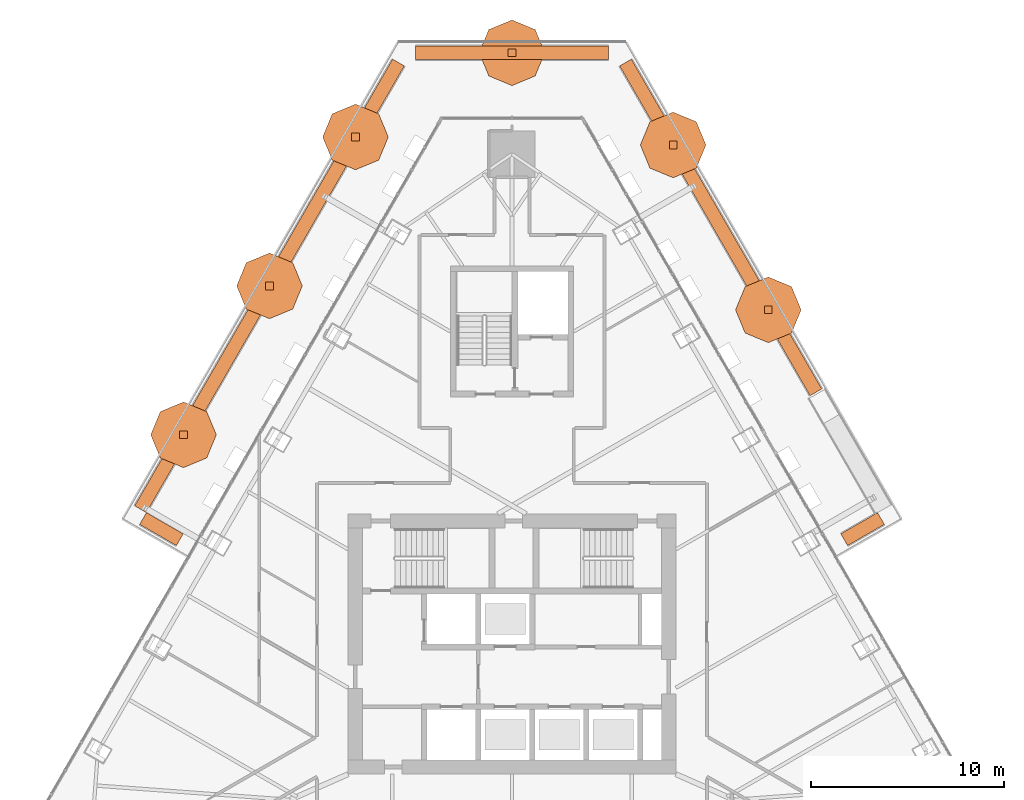
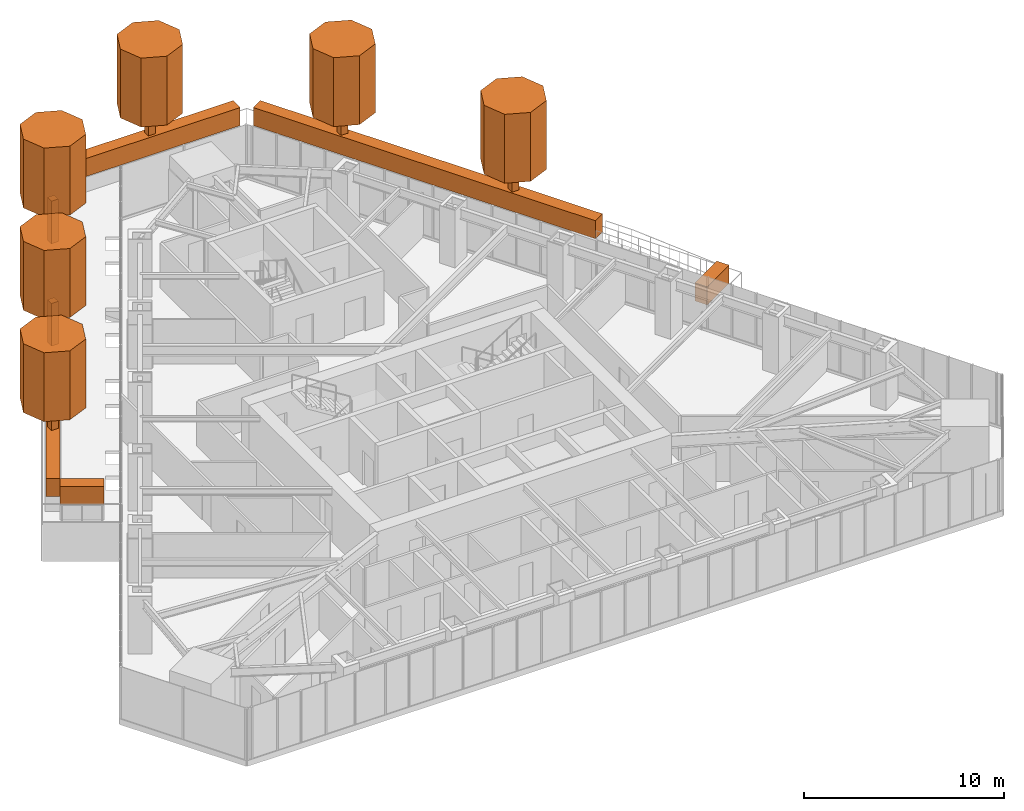
# One storey, part 22 of 22: 17 geographic elements.
"""IFC4 building model written with IfcOpenShell, lengths in metres."""

from ifc_helpers import new_model, si_unit, direction, frame, origin, origin_2d, place, context, subcontext, project, spatial, polyline, rectangle, outline, extrude, material, type_object, element, save


model = new_model("IFC4")

# Units and contexts
model_context = context("Model", 3, precision=1e-05, world=origin(), true_north=direction((0.0, 1.0)))
body_context = subcontext(model_context, "Body", "Model", "MODEL_VIEW")
ifc_project = project(units=[si_unit("LENGTHUNIT", "METRE"), si_unit("AREAUNIT", "SQUARE_METRE"), si_unit("VOLUMEUNIT", "CUBIC_METRE"), si_unit("PLANEANGLEUNIT", "RADIAN"), si_unit("MASSUNIT", "GRAM", prefix="KILO")], contexts=[model_context])

# Site, building, storey
site_placement = place(None, origin())
site = spatial("IfcSite", under=ifc_project, at=site_placement, CompositionType="ELEMENT")
building_placement = place(site_placement, origin())
building = spatial("IfcBuilding", under=site, at=building_placement, Name="Firuza Gate Tower and Library", CompositionType="ELEMENT")
storey_placement = place(building_placement, frame((0.0, 0.0, 295.10009765625)))
storey = spatial("IfcBuildingStorey", under=building, at=storey_placement, Name="L71", CompositionType="ELEMENT", Elevation=295.10009765625)

# Geographic elements
ifc_material_1 = material(Name="Foliage")
geographic_element_type_1 = type_object("IfcGeographicElementType", Name="Planted hedge", PredefinedType="USERDEFINED", material=ifc_material_1)
geographic_element_1_placement = place(storey_placement, frame((93.16943359375, 80.954345703125, 0.89990234375), z_axis=(0.0, 0.0, 1.0), x_axis=(0.866025403784, 0.5, 0.0)))
element("IfcGeographicElement", 1, at=geographic_element_1_placement, inside=storey, type_object=geographic_element_type_1, Name="Planted hedge", ObjectType="HEDGE", PredefinedType="USERDEFINED", context=body_context, shape_type="SweptSolid", body=[
    extrude(rectangle(XDim=2.199951171875, YDim=0.699951171875, at=origin_2d()), origin(), (0.0, 0.0, 1.0), 1.10009765625),
])
geographic_element_2_placement = place(storey_placement, frame((85.816650390625, 96.58984375, 0.89990234375), z_axis=(0.0, 0.0, 1.0), x_axis=(-0.5, 0.866025403784, 0.0)))
element("IfcGeographicElement", 2, at=geographic_element_2_placement, inside=storey, type_object=geographic_element_type_1, Name="Planted hedge", ObjectType="HEDGE", PredefinedType="USERDEFINED", context=body_context, shape_type="SweptSolid", body=[
    extrude(rectangle(XDim=19.734130859375, YDim=0.699951171875, at=origin_2d()), origin(), (0.0, 0.0, 1.0), 1.10009765625),
])
geographic_element_3_placement = place(storey_placement, frame((75.0, 105.639404296875, 0.89990234375), z_axis=(0.0, 0.0, 1.0), x_axis=(-1.0, 0.0, 0.0)))
element("IfcGeographicElement", 3, at=geographic_element_3_placement, inside=storey, type_object=geographic_element_type_1, Name="Planted hedge", ObjectType="HEDGE", PredefinedType="USERDEFINED", context=body_context, shape_type="SweptSolid", body=[
    extrude(rectangle(XDim=10.018798828125, YDim=0.699951171875, at=origin_2d()), origin(), (0.0, 0.0, 1.0), 1.10009765625),
])
geographic_element_4_placement = place(storey_placement, frame((62.433349609375, 93.55859375, 0.89990234375), z_axis=(0.0, 0.0, 1.0), x_axis=(-0.5, -0.866025403784, 0.0)))
element("IfcGeographicElement", 4, at=geographic_element_4_placement, inside=storey, type_object=geographic_element_type_1, Name="Planted hedge", ObjectType="HEDGE", PredefinedType="USERDEFINED", context=body_context, shape_type="SweptSolid", body=[
    extrude(rectangle(XDim=26.734130859375, YDim=0.699951171875, at=origin_2d()), origin(), (0.0, 0.0, 1.0), 1.10009765625),
])
geographic_element_5_placement = place(storey_placement, frame((56.83056640625, 80.954345703125, 0.89990234375), z_axis=(0.0, 0.0, 1.0), x_axis=(0.866025403784, -0.5, 0.0)))
element("IfcGeographicElement", 5, at=geographic_element_5_placement, inside=storey, type_object=geographic_element_type_1, Name="Planted hedge", ObjectType="HEDGE", PredefinedType="USERDEFINED", context=body_context, shape_type="SweptSolid", body=[
    extrude(rectangle(XDim=2.199951171875, YDim=0.699951171875, at=origin_2d()), origin(), (0.0, 0.0, 1.0), 1.10009765625),
])
ifc_material_2 = material(Name="Foliage")
geographic_element_type_2 = type_object("IfcGeographicElementType", Name="Planted tree canopy", PredefinedType="USERDEFINED", material=ifc_material_2)
placement = place(storey_placement, frame((0.0, 0.0, 3.5)))
element("IfcGeographicElement", 6, at=placement, inside=storey, type_object=geographic_element_type_2, Name="Tree canopy", ObjectType="TREE CANOPY", PredefinedType="USERDEFINED", context=body_context, shape_type="SweptSolid", body=[
    extrude(outline(polyline([(89.9833984375, 92.317138671875), (89.4853515625, 93.519287109375), (88.283447265625, 94.017333984375), (87.081298828125, 93.519287109375), (86.58349609375, 92.317138671875), (87.081298828125, 91.115234375), (88.283447265625, 90.6171875), (89.4853515625, 91.115234375), (89.9833984375, 92.317138671875)])), origin(), (0.0, 0.0, 1.0), 4.199951171875),
])
element("IfcGeographicElement", 7, at=placement, inside=storey, type_object=geographic_element_type_2, Name="Tree canopy", ObjectType="TREE CANOPY", PredefinedType="USERDEFINED", context=body_context, shape_type="SweptSolid", body=[
    extrude(outline(polyline([(85.0498046875, 100.8623046875), (84.552001953125, 102.064453125), (83.349853515625, 102.562255859375), (82.147705078125, 102.064453125), (81.64990234375, 100.8623046875), (82.147705078125, 99.660400390625), (83.349853515625, 99.162353515625), (84.552001953125, 99.660400390625), (85.0498046875, 100.8623046875)])), origin(), (0.0, 0.0, 1.0), 4.199951171875),
])
element("IfcGeographicElement", 8, at=placement, inside=storey, type_object=geographic_element_type_2, Name="Tree canopy", ObjectType="TREE CANOPY", PredefinedType="USERDEFINED", context=body_context, shape_type="SweptSolid", body=[
    extrude(outline(polyline([(76.699951171875, 105.639404296875), (76.2021484375, 106.84130859375), (75.0, 107.33935546875), (73.7978515625, 106.84130859375), (73.300048828125, 105.639404296875), (73.7978515625, 104.437255859375), (75.0, 103.939453125), (76.2021484375, 104.437255859375), (76.699951171875, 105.639404296875)])), origin(), (0.0, 0.0, 1.0), 4.199951171875),
])
element("IfcGeographicElement", 9, at=placement, inside=storey, type_object=geographic_element_type_2, Name="Tree canopy", ObjectType="TREE CANOPY", PredefinedType="USERDEFINED", context=body_context, shape_type="SweptSolid", body=[
    extrude(outline(polyline([(68.589111328125, 101.276123046875), (68.091064453125, 102.478271484375), (66.88916015625, 102.97607421875), (65.68701171875, 102.478271484375), (65.18896484375, 101.276123046875), (65.68701171875, 100.07421875), (66.88916015625, 99.576171875), (68.091064453125, 100.07421875), (68.589111328125, 101.276123046875)])), origin(), (0.0, 0.0, 1.0), 4.199951171875),
])
element("IfcGeographicElement", 10, at=placement, inside=storey, type_object=geographic_element_type_2, Name="Tree canopy", ObjectType="TREE CANOPY", PredefinedType="USERDEFINED", context=body_context, shape_type="SweptSolid", body=[
    extrude(outline(polyline([(64.13330078125, 93.55859375), (63.635498046875, 94.7607421875), (62.433349609375, 95.2587890625), (61.231201171875, 94.7607421875), (60.7333984375, 93.55859375), (61.231201171875, 92.356689453125), (62.433349609375, 91.858642578125), (63.635498046875, 92.356689453125), (64.13330078125, 93.55859375)])), origin(), (0.0, 0.0, 1.0), 4.199951171875),
])
element("IfcGeographicElement", 11, at=placement, inside=storey, type_object=geographic_element_type_2, Name="Tree canopy", ObjectType="TREE CANOPY", PredefinedType="USERDEFINED", context=body_context, shape_type="SweptSolid", body=[
    extrude(outline(polyline([(59.677734375, 85.84130859375), (59.1796875, 87.043212890625), (57.977783203125, 87.541259765625), (56.775634765625, 87.043212890625), (56.277587890625, 85.84130859375), (56.775634765625, 84.63916015625), (57.977783203125, 84.14111328125), (59.1796875, 84.63916015625), (59.677734375, 85.84130859375)])), origin(), (0.0, 0.0, 1.0), 4.199951171875),
])
ifc_material_3 = material(Name="Timber", Category="wood")
geographic_element_type_3 = type_object("IfcGeographicElementType", Name="Planted tree trunk", PredefinedType="USERDEFINED", material=ifc_material_3)
for number, where, z_axis, x_axis, name in (
    (12, (88.283447265625, 92.317138671875, 0.89990234375), (0.0, 0.0, 1.0), (1.0, 0.0, 0.0), "Tree trunk"),
    (13, (83.349853515625, 100.8623046875, 0.89990234375), (0.0, 0.0, 1.0), (1.0, 0.0, 0.0), "Tree trunk"),
    (14, (75.0, 105.639404296875, 0.89990234375), (0.0, 0.0, 1.0), (1.0, 0.0, 0.0), "Tree trunk"),
    (15, (66.88916015625, 101.276123046875, 0.89990234375), (0.0, 0.0, 1.0), (1.0, 0.0, 0.0), "Tree trunk"),
    (16, (62.433349609375, 93.55859375, 0.89990234375), (0.0, 0.0, 1.0), (1.0, 0.0, 0.0), "Tree trunk"),
    (17, (57.977783203125, 85.84130859375, 0.89990234375), (0.0, 0.0, 1.0), (1.0, 0.0, 0.0), "Tree trunk"),
):
    element("IfcGeographicElement", number, at=place(storey_placement, frame(where, z_axis=z_axis, x_axis=x_axis)), inside=storey, type_object=geographic_element_type_3, Name=name, ObjectType="TREE TRUNK", PredefinedType="USERDEFINED", context=body_context, shape_type="SweptSolid", body=[
        extrude(rectangle(XDim=0.39990234375, YDim=0.39990234375, at=origin_2d()), origin(), (0.0, 0.0, 1.0), 2.60009765625),
    ])

save(model, "model.ifc")
